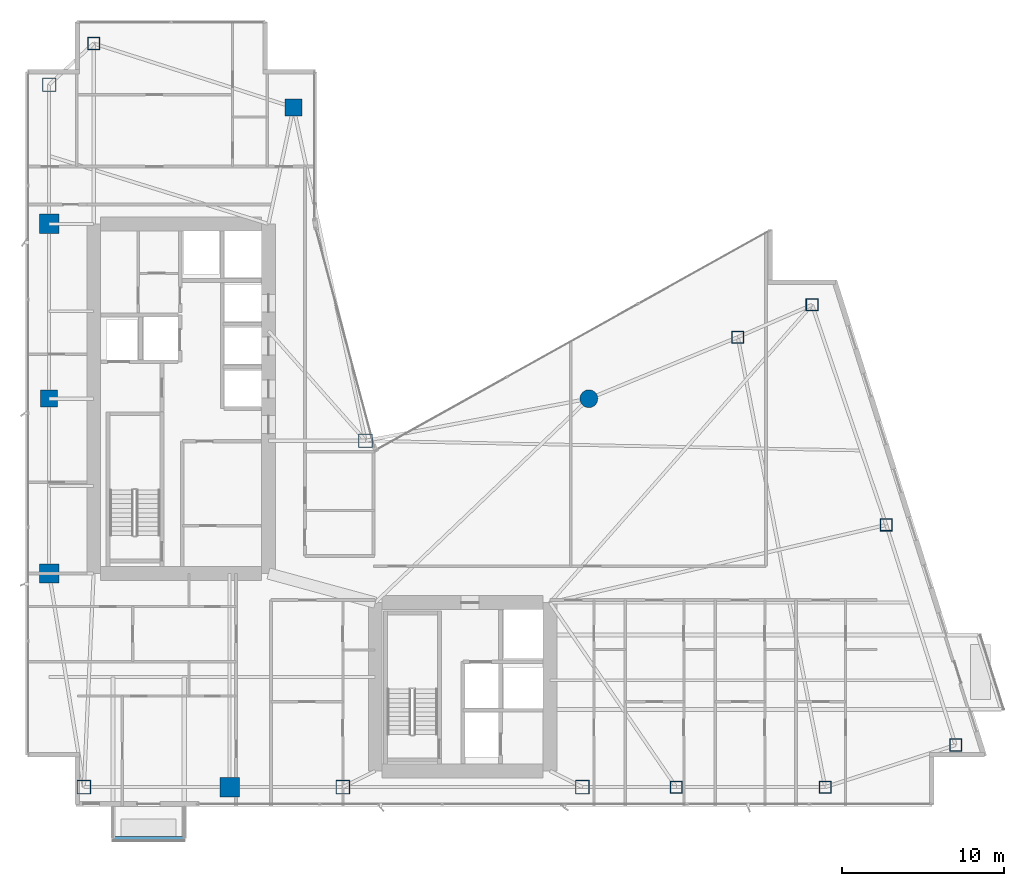
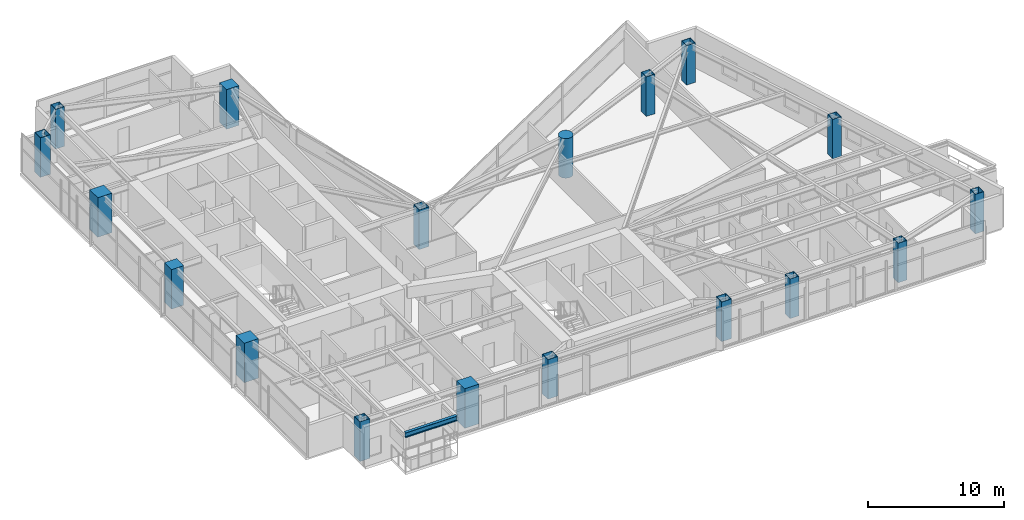
# One storey, part 1 of 29: 18 columns, 1 beam.
"""IFC4 building model written with IfcOpenShell, lengths in metres."""

from ifc_helpers import new_model, si_unit, direction, frame, origin, origin_2d, place, context, subcontext, project, spatial, rectangle, hollow_rectangle, circle, i_section, extrude, material, material_profile, profile_set, type_object, element, save


model = new_model("IFC4")

# Units and contexts
model_context = context("Model", 3, precision=1e-05, world=origin(), true_north=direction((0.0, 1.0)))
body_context = subcontext(model_context, "Body", "Model", "MODEL_VIEW")
ifc_project = project(units=[si_unit("LENGTHUNIT", "METRE"), si_unit("AREAUNIT", "SQUARE_METRE"), si_unit("VOLUMEUNIT", "CUBIC_METRE"), si_unit("PLANEANGLEUNIT", "RADIAN"), si_unit("MASSUNIT", "GRAM", prefix="KILO")], contexts=[model_context])

# Site, building, storey
site_placement = place(None, origin())
site = spatial("IfcSite", under=ifc_project, at=site_placement, CompositionType="ELEMENT")
building_placement = place(site_placement, origin())
building = spatial("IfcBuilding", under=site, at=building_placement, Name="Calvorn Quay Hotel", CompositionType="ELEMENT")
storey_placement = place(building_placement, frame((0.0, 0.0, 167.5)))
storey = spatial("IfcBuildingStorey", under=building, at=storey_placement, Name="L41", CompositionType="ELEMENT", Elevation=167.5)

# Columns
ifc_material_1 = material(Name="Concrete C50", Category="concrete")
ifc_material_profile_1 = material_profile(ifc_material_1, rectangle(XDim=1.050048828125, YDim=1.050048828125, at=origin_2d()), Name="RC1050x1050")
ifc_profile_set_1 = profile_set([ifc_material_profile_1], Name="Concrete C50")
column_type_1 = type_object("IfcColumnType", Name="COL-RC-1050", PredefinedType="COLUMN", material=ifc_profile_set_1)
for number, where, z_axis, x_axis, name in (
    (1, (1.449951171875, 27.60009765625, 0.0), (0.0, 0.0, 1.0), (1.0, 0.0, 0.0), "Column C-W3 (L41)"),
    (2, (16.550048828125, 45.60009765625, 0.0), (0.0, 0.0, 1.0), (1.0, 0.0, 0.0), "Column C-IC1 (L41)"),
):
    element("IfcColumn", number, at=place(storey_placement, frame(where, z_axis=z_axis, x_axis=x_axis)), inside=storey, type_object=column_type_1, Name=name, PredefinedType="COLUMN", context=body_context, shape_type="SweptSolid", body=[
        extrude(rectangle(XDim=1.050048828125, YDim=1.050048828125, at=origin_2d()), origin(), (0.0, 0.0, 1.0), 3.56005859375),
    ])
ifc_material_2 = material(Name="Concrete C50", Category="concrete")
ifc_material_profile_2 = material_profile(ifc_material_2, rectangle(XDim=1.199951171875, YDim=1.199951171875, at=origin_2d()), Name="RC1200x1200")
ifc_profile_set_2 = profile_set([ifc_material_profile_2], Name="Concrete C50")
column_type_2 = type_object("IfcColumnType", Name="COL-RC-1200", PredefinedType="COLUMN", material=ifc_profile_set_2)
for number, where, z_axis, x_axis, name in (
    (3, (1.449951171875, 16.800048828125, 0.0), (0.0, 0.0, 1.0), (1.0, 0.0, 0.0), "Column C-W2 (L41)"),
    (4, (1.449951171875, 38.39990234375, 0.0), (0.0, 0.0, 1.0), (1.0, 0.0, 0.0), "Column C-W4 (L41)"),
    (5, (12.60009765625, 3.60009765625, 0.0), (0.0, 0.0, 1.0), (1.0, 0.0, 0.0), "Column C-S1 (L41)"),
):
    element("IfcColumn", number, at=place(storey_placement, frame(where, z_axis=z_axis, x_axis=x_axis)), inside=storey, type_object=column_type_2, Name=name, PredefinedType="COLUMN", context=body_context, shape_type="SweptSolid", body=[
        extrude(rectangle(XDim=1.199951171875, YDim=1.199951171875, at=origin_2d()), origin(), (0.0, 0.0, 1.0), 3.56005859375),
    ])
ifc_material_3 = material(Name="Concrete C50", Category="concrete")
ifc_material_profile_3 = material_profile(ifc_material_3, circle(Radius=0.550048828125, at=origin_2d()), Name="RCD1100")
ifc_profile_set_3 = profile_set([ifc_material_profile_3], Name="Concrete C50")
column_type_3 = type_object("IfcColumnType", Name="COL-RC-D1100", PredefinedType="COLUMN", material=ifc_profile_set_3)
column_placement = place(storey_placement, frame((34.800048828125, 27.60009765625, 0.0), z_axis=(0.0, 0.0, 1.0), x_axis=(1.0, 0.0, 0.0)))
element("IfcColumn", 6, at=column_placement, inside=storey, type_object=column_type_3, Name="Column C-NC1 (L41)", PredefinedType="COLUMN", context=body_context, shape_type="SweptSolid", body=[
    extrude(circle(Radius=0.550048828125, at=origin_2d()), origin(), (0.0, 0.0, 1.0), 3.56005859375),
])
ifc_material_4 = material(Name="Steel Q390GJC", Category="steel")
ifc_material_profile_4 = material_profile(ifc_material_4, hollow_rectangle(XDim=0.85009765625, YDim=0.85009765625, WallThickness=0.035888671875, at=origin_2d()), Name="BOX850x850x36")
ifc_profile_set_4 = profile_set([ifc_material_profile_4], Name="Steel Q390GJC")
column_type_4 = type_object("IfcColumnType", Name="COL-STL-Z2", PredefinedType="COLUMN", material=ifc_profile_set_4)
for number, where, z_axis, x_axis, name in (
    (7, (3.60009765625, 3.60009765625, 0.0), (0.0, 0.0, 1.0), (1.0, 0.0, 0.0), "Column C-W1 (L41)"),
    (8, (1.449951171875, 47.0, 0.0), (0.0, 0.0, 1.0), (1.0, 0.0, 0.0), "Column C-W5 (L41)"),
    (9, (21.0, 25.0, 0.0), (0.0, 0.0, 1.0), (1.0, 0.0, 0.0), "Column C-IC2 (L41)"),
    (10, (19.60009765625, 3.60009765625, 0.0), (0.0, 0.0, 1.0), (1.0, 0.0, 0.0), "Column C-S2 (L41)"),
    (11, (34.39990234375, 3.60009765625, 0.0), (0.0, 0.0, 1.0), (1.0, 0.0, 0.0), "Column C-S3 (L41)"),
):
    element("IfcColumn", number, at=place(storey_placement, frame(where, z_axis=z_axis, x_axis=x_axis)), inside=storey, type_object=column_type_4, Name=name, PredefinedType="COLUMN", context=body_context, shape_type="SweptSolid", body=[
        extrude(hollow_rectangle(XDim=0.85009765625, YDim=0.85009765625, WallThickness=0.035888671875, at=origin_2d()), origin(), (0.0, 0.0, 1.0), 3.56005859375),
    ])
ifc_material_5 = material(Name="Steel Q390GJC", Category="steel")
ifc_material_profile_5 = material_profile(ifc_material_5, hollow_rectangle(XDim=0.75, YDim=0.75, WallThickness=0.031982421875, at=origin_2d()), Name="BOX750x750x32")
ifc_profile_set_5 = profile_set([ifc_material_profile_5], Name="Steel Q390GJC")
column_type_5 = type_object("IfcColumnType", Name="COL-STL-Z3", PredefinedType="COLUMN", material=ifc_profile_set_5)
for number, where, z_axis, x_axis, name in (
    (12, (4.199951171875, 49.550048828125, 0.0), (0.0, 0.0, 1.0), (1.0, 0.0, 0.0), "Column C-NW1 (L41)"),
    (13, (40.199951171875, 3.60009765625, 0.0), (0.0, 0.0, 1.0), (1.0, 0.0, 0.0), "Column C-S4 (L41)"),
    (14, (49.39990234375, 3.60009765625, 0.0), (0.0, 0.0, 1.0), (1.0, 0.0, 0.0), "Column C-S5 (L41)"),
    (15, (44.0, 31.39990234375, 0.0), (0.0, 0.0, 1.0), (1.0, 0.0, 0.0), "Column C-NC2 (L41)"),
    (16, (57.4609375, 6.199951171875, 0.0), (0.0, 0.0, 1.0), (1.0, 0.0, 0.0), "Column C-ET1 (L41)"),
    (17, (53.176025390625, 19.800048828125, 0.0), (0.0, 0.0, 1.0), (1.0, 0.0, 0.0), "Column C-ET2 (L41)"),
    (18, (48.591064453125, 33.39990234375, 0.0), (0.0, 0.0, 1.0), (1.0, 0.0, 0.0), "Column C-ET3 (L41)"),
):
    element("IfcColumn", number, at=place(storey_placement, frame(where, z_axis=z_axis, x_axis=x_axis)), inside=storey, type_object=column_type_5, Name=name, PredefinedType="COLUMN", context=body_context, shape_type="SweptSolid", body=[
        extrude(hollow_rectangle(XDim=0.75, YDim=0.75, WallThickness=0.031982421875, at=origin_2d()), origin(), (0.0, 0.0, 1.0), 3.56005859375),
    ])

# Beam
ifc_material_6 = material(Name="Steel Q355B", Category="steel")
ifc_material_profile_6 = material_profile(ifc_material_6, i_section(OverallWidth=0.25, OverallDepth=0.449951171875, WebThickness=0.011962890625, FlangeThickness=0.01611328125, FilletRadius=0.01611328125, at=origin_2d()), Name="HN450x250x12x16")
ifc_profile_set_6 = profile_set([ifc_material_profile_6], Name="Steel Q355B")
beam_type = type_object("IfcBeamType", Name="BM-CANT-BALC", PredefinedType="BEAM", material=ifc_profile_set_6)
beam_placement = place(storey_placement, frame((5.39990234375, 0.409912109375, 3.31494140625), z_axis=(1.0, 0.0, 0.0), x_axis=(0.0, 1.0, 0.0)))
element("IfcBeam", 19, at=beam_placement, inside=storey, type_object=beam_type, Name="Beam BCBO-L42-2", PredefinedType="BEAM", context=body_context, shape_type="SweptSolid", body=[
    extrude(i_section(OverallWidth=0.25, OverallDepth=0.449951171875, WebThickness=0.011962890625, FlangeThickness=0.01611328125, FilletRadius=0.01611328125, at=origin_2d()), origin(), (0.0, 0.0, 1.0), 4.400146484375),
])

save(model, "model.ifc")
